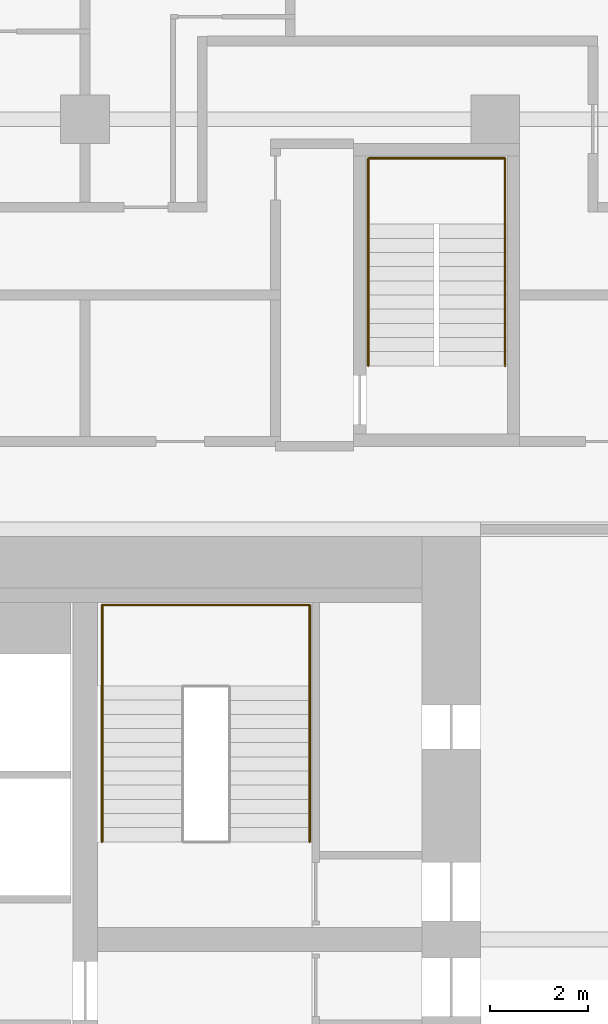
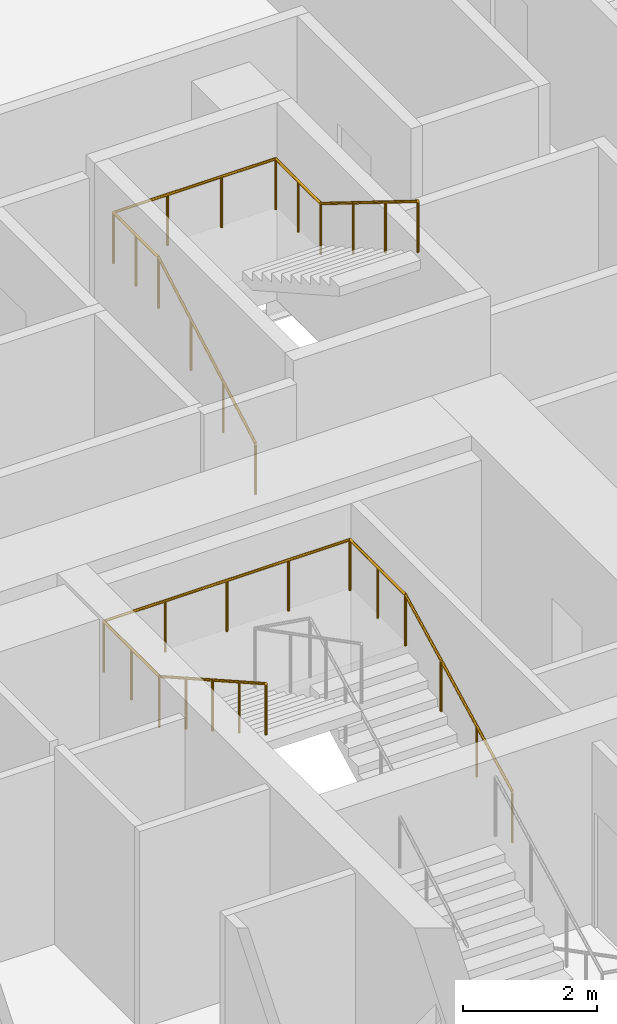
# One storey, part 38 of 38: 2 railings.
"""IFC4 building model written with IfcOpenShell, lengths in metres."""

from ifc_helpers import new_model, si_unit, direction, frame, origin, origin_2d, place, context, subcontext, project, spatial, circle, extrude, material, type_object, element, save


model = new_model("IFC4")

# Units and contexts
model_context = context("Model", 3, precision=1e-05, world=origin(), true_north=direction((0.0, 1.0)))
body_context = subcontext(model_context, "Body", "Model", "MODEL_VIEW")
ifc_project = project(units=[si_unit("LENGTHUNIT", "METRE"), si_unit("AREAUNIT", "SQUARE_METRE"), si_unit("VOLUMEUNIT", "CUBIC_METRE"), si_unit("PLANEANGLEUNIT", "RADIAN"), si_unit("MASSUNIT", "GRAM", prefix="KILO")], contexts=[model_context])

# Site, building, storey
site_placement = place(None, origin())
site = spatial("IfcSite", under=ifc_project, at=site_placement, CompositionType="ELEMENT")
building_placement = place(site_placement, origin())
building = spatial("IfcBuilding", under=site, at=building_placement, Name="Marenta Gate Hotel Tower", CompositionType="ELEMENT")
storey_placement = place(building_placement, frame((0.0, 0.0, 54.5)))
storey = spatial("IfcBuildingStorey", under=building, at=storey_placement, Name="L11", CompositionType="ELEMENT", Elevation=54.5)

# Railings
ifc_material = material(Name="Stainless steel", Category="steel")
railing_type = type_object("IfcRailingType", Name="Core stair handrail 950", PredefinedType="HANDRAIL", material=ifc_material)
railing_1_placement = place(storey_placement, frame((8.800048828125, 10.39990234375, 0.14990234375)))
element("IfcRailing", 1, at=railing_1_placement, inside=storey, type_object=railing_type, Name="HR-950 L11-KR-ST4-1", PredefinedType="HANDRAIL", context=body_context, shape_type="SweptSolid", body=[
    extrude(circle(Radius=0.02392578125, at=origin_2d()), frame((0.0, 0.0, 0.92578125), z_axis=(0.0, 0.888211904222, 0.459434013977), x_axis=(-1.0, 0.0, 0.0)), (0.0, 0.0, 1.0), 3.591796875),
    extrude(circle(Radius=0.02392578125, at=origin_2d()), frame((0.0, 3.190185546875, 2.576171875), z_axis=(0.0, 1.0, 0.0), x_axis=(-1.0, 0.0, 0.0)), (0.0, 0.0, 1.0), 1.659912109375),
    extrude(circle(Radius=0.02392578125, at=origin_2d()), frame((0.0, 4.85009765625, 2.576171875), z_axis=(-1.0, 0.0, 0.0), x_axis=(0.0, -1.0, 0.0)), (0.0, 0.0, 1.0), 4.25),
    extrude(circle(Radius=0.02392578125, at=origin_2d()), frame((-4.25, 4.85009765625, 2.576171875), z_axis=(0.0, -1.0, 0.0), x_axis=(1.0, 0.0, 0.0)), (0.0, 0.0, 1.0), 1.659912109375),
    extrude(circle(Radius=0.02392578125, at=origin_2d()), frame((-4.25, 3.190185546875, 2.576171875), z_axis=(0.0, -0.870925075533, 0.491415824742), x_axis=(1.0, 0.0, 0.0)), (0.0, 0.0, 1.0), 3.6630859375),
    extrude(circle(Radius=0.02099609375, at=origin_2d()), origin(), (0.0, 0.0, 1.0), 0.90185546875),
    extrude(circle(Radius=0.02099609375, at=origin_2d()), frame((0.0, 1.0634765625, 0.550048828125)), (0.0, 0.0, 1.0), 0.90185546875),
    extrude(circle(Radius=0.02099609375, at=origin_2d()), frame((0.0, 2.126708984375, 1.10009765625)), (0.0, 0.0, 1.0), 0.90185546875),
    extrude(circle(Radius=0.02099609375, at=origin_2d()), frame((0.0, 3.190185546875, 1.650146484375)), (0.0, 0.0, 1.0), 0.90185546875),
    extrude(circle(Radius=0.02099609375, at=origin_2d()), frame((0.0, 4.02001953125, 1.650146484375)), (0.0, 0.0, 1.0), 0.90185546875),
    extrude(circle(Radius=0.02099609375, at=origin_2d()), frame((0.0, 4.85009765625, 1.650146484375)), (0.0, 0.0, 1.0), 0.90185546875),
    extrude(circle(Radius=0.02099609375, at=origin_2d()), frame((-1.0625, 4.85009765625, 1.650146484375)), (0.0, 0.0, 1.0), 0.90185546875),
    extrude(circle(Radius=0.02099609375, at=origin_2d()), frame((-2.125, 4.85009765625, 1.650146484375)), (0.0, 0.0, 1.0), 0.90185546875),
    extrude(circle(Radius=0.02099609375, at=origin_2d()), frame((-3.1875, 4.85009765625, 1.650146484375)), (0.0, 0.0, 1.0), 0.90185546875),
    extrude(circle(Radius=0.02099609375, at=origin_2d()), frame((-4.25, 4.85009765625, 1.650146484375)), (0.0, 0.0, 1.0), 0.90185546875),
    extrude(circle(Radius=0.02099609375, at=origin_2d()), frame((-4.25, 4.02001953125, 1.650146484375)), (0.0, 0.0, 1.0), 0.90185546875),
    extrude(circle(Radius=0.02099609375, at=origin_2d()), frame((-4.25, 3.190185546875, 1.650146484375)), (0.0, 0.0, 1.0), 0.90185546875),
    extrude(circle(Radius=0.02099609375, at=origin_2d()), frame((-4.25, 2.392578125, 2.10009765625)), (0.0, 0.0, 1.0), 0.90185546875),
    extrude(circle(Radius=0.02099609375, at=origin_2d()), frame((-4.25, 1.59521484375, 2.55029296875)), (0.0, 0.0, 1.0), 0.90185546875),
    extrude(circle(Radius=0.02099609375, at=origin_2d()), frame((-4.25, 0.797607421875, 3.000244140625)), (0.0, 0.0, 1.0), 0.90185546875),
    extrude(circle(Radius=0.02099609375, at=origin_2d()), frame((-4.25, 0.0, 3.4501953125)), (0.0, 0.0, 1.0), 0.90185546875),
])
railing_2_placement = place(storey_placement, frame((10.0, 20.14990234375, 0.16357421875)))
element("IfcRailing", 2, at=railing_2_placement, inside=storey, type_object=railing_type, Name="HR-950 L11-RS-Z1-4-KR-1", PredefinedType="HANDRAIL", context=body_context, shape_type="SweptSolid", body=[
    extrude(circle(Radius=0.02392578125, at=origin_2d()), frame((0.0, 0.0, 0.92578125), z_axis=(0.0, 0.870914908162, 0.491433843708), x_axis=(-1.0, 0.0, 0.0)), (0.0, 0.0, 1.0), 3.330078125),
    extrude(circle(Radius=0.02392578125, at=origin_2d()), frame((0.0, 2.900146484375, 2.5625), z_axis=(0.0, 1.0, 0.0), x_axis=(-1.0, 0.0, 0.0)), (0.0, 0.0, 1.0), 1.349853515625),
    extrude(circle(Radius=0.02392578125, at=origin_2d()), frame((0.0, 4.25, 2.5625), z_axis=(1.0, 0.0, 0.0), x_axis=(0.0, 1.0, 0.0)), (0.0, 0.0, 1.0), 2.800048828125),
    extrude(circle(Radius=0.02392578125, at=origin_2d()), frame((2.800048828125, 4.25, 2.5625), z_axis=(0.0, -1.0, 0.0), x_axis=(1.0, 0.0, 0.0)), (0.0, 0.0, 1.0), 1.349853515625),
    extrude(circle(Radius=0.02392578125, at=origin_2d()), frame((2.800048828125, 2.900146484375, 2.5625), z_axis=(0.0, -0.849645691689, 0.527353959494), x_axis=(1.0, 0.0, 0.0)), (0.0, 0.0, 1.0), 3.413330078125),
    extrude(circle(Radius=0.02099609375, at=origin_2d()), origin(), (0.0, 0.0, 1.0), 0.90185546875),
    extrude(circle(Radius=0.02099609375, at=origin_2d()), frame((0.0, 0.966796875, 0.54541015625)), (0.0, 0.0, 1.0), 0.90185546875),
    extrude(circle(Radius=0.02099609375, at=origin_2d()), frame((0.0, 1.933349609375, 1.091064453125)), (0.0, 0.0, 1.0), 0.90185546875),
    extrude(circle(Radius=0.02099609375, at=origin_2d()), frame((0.0, 2.900146484375, 1.636474609375)), (0.0, 0.0, 1.0), 0.90185546875),
    extrude(circle(Radius=0.02099609375, at=origin_2d()), frame((0.0, 3.5751953125, 1.636474609375)), (0.0, 0.0, 1.0), 0.90185546875),
    extrude(circle(Radius=0.02099609375, at=origin_2d()), frame((0.0, 4.25, 1.636474609375)), (0.0, 0.0, 1.0), 0.90185546875),
    extrude(circle(Radius=0.02099609375, at=origin_2d()), frame((0.933349609375, 4.25, 1.636474609375)), (0.0, 0.0, 1.0), 0.90185546875),
    extrude(circle(Radius=0.02099609375, at=origin_2d()), frame((1.86669921875, 4.25, 1.636474609375)), (0.0, 0.0, 1.0), 0.90185546875),
    extrude(circle(Radius=0.02099609375, at=origin_2d()), frame((2.800048828125, 4.25, 1.636474609375)), (0.0, 0.0, 1.0), 0.90185546875),
    extrude(circle(Radius=0.02099609375, at=origin_2d()), frame((2.800048828125, 3.5751953125, 1.636474609375)), (0.0, 0.0, 1.0), 0.90185546875),
    extrude(circle(Radius=0.02099609375, at=origin_2d()), frame((2.800048828125, 2.900146484375, 1.636474609375)), (0.0, 0.0, 1.0), 0.90185546875),
    extrude(circle(Radius=0.02099609375, at=origin_2d()), frame((2.800048828125, 1.933349609375, 2.236572265625)), (0.0, 0.0, 1.0), 0.90185546875),
    extrude(circle(Radius=0.02099609375, at=origin_2d()), frame((2.800048828125, 0.966796875, 2.83642578125)), (0.0, 0.0, 1.0), 0.90185546875),
    extrude(circle(Radius=0.02099609375, at=origin_2d()), frame((2.800048828125, 0.0, 3.4365234375)), (0.0, 0.0, 1.0), 0.90185546875),
])

save(model, "model.ifc")
